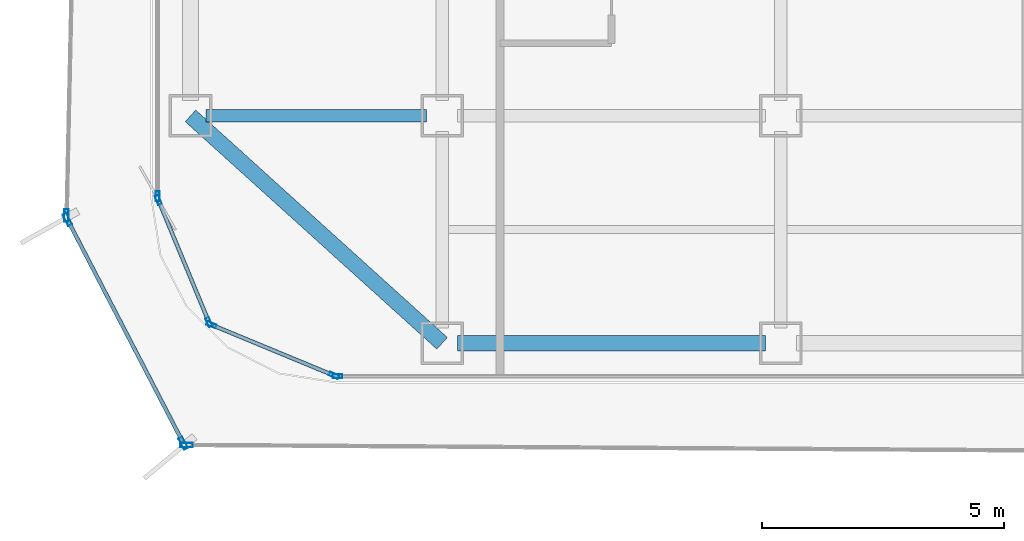
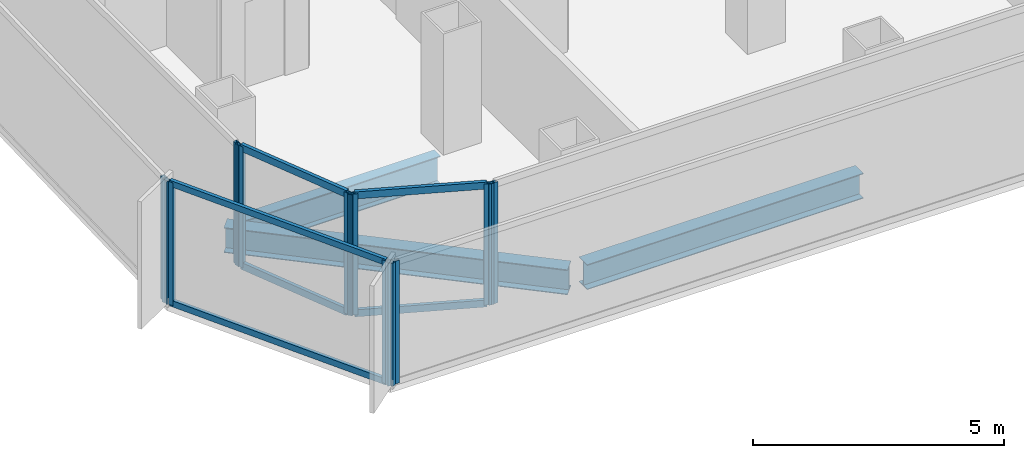
# One storey, part 2 of 21: 16 members, 3 beams, 7 elements without a shape of their own.
"""IFC4 building model written with IfcOpenShell, lengths in metres."""

from ifc_helpers import new_model, si_unit, direction, frame, origin, origin_2d, place, context, subcontext, project, spatial, hollow_rectangle, i_section, extrude, source, transform, mapped, material, layer, layer_set, material_profile, profile_set, type_object, element, aggregate, save


model = new_model("IFC4")

# Units and contexts
model_context = context("Model", 3, precision=1e-05, world=origin(), true_north=direction((0.0, 1.0)))
body_context = subcontext(model_context, "Body", "Model", "MODEL_VIEW")
ifc_project = project(units=[si_unit("LENGTHUNIT", "METRE"), si_unit("AREAUNIT", "SQUARE_METRE"), si_unit("VOLUMEUNIT", "CUBIC_METRE"), si_unit("PLANEANGLEUNIT", "RADIAN"), si_unit("MASSUNIT", "GRAM", prefix="KILO")], contexts=[model_context])

# Site, building, storey
site_placement = place(None, origin())
site = spatial("IfcSite", under=ifc_project, at=site_placement, CompositionType="ELEMENT")
building_placement = place(site_placement, origin())
building = spatial("IfcBuilding", under=site, at=building_placement, Name="Kolveth Station Tower", CompositionType="ELEMENT")
storey_placement = place(building_placement, frame((0.0, 0.0, 121.5)))
storey = spatial("IfcBuildingStorey", under=building, at=storey_placement, Name="L33", CompositionType="ELEMENT", Elevation=121.5)

# Beams
ifc_material_1 = material(Name="Steel S355", Category="steel")
ifc_material_profile_1 = material_profile(ifc_material_1, i_section(OverallWidth=0.323974609375, OverallDepth=0.611083984375, WebThickness=0.0126953125, FlangeThickness=0.01904296875, at=origin_2d()), Name="W610x155")
ifc_profile_set_1 = profile_set([ifc_material_profile_1], Name="Steel S355")
beam_type_1 = type_object("IfcBeamType", Name="Beam_SP2", PredefinedType="SPANDREL", material=ifc_profile_set_1)
shared_shape_1 = source(origin(), body_context, "Body", "SweptSolid", [
    extrude(i_section(OverallWidth=0.323974609375, OverallDepth=0.611083984375, WebThickness=0.0126953125, FlangeThickness=0.01904296875, at=origin_2d()), origin(), (0.0, 0.0, 1.0), 6.35986328125),
])
beam_1_placement = place(storey_placement, frame((6.320068359375, 0.800048828125, -0.555419921875), z_axis=(1.0, 0.0, 0.0), x_axis=(0.0, 1.0, 0.0)))
element("IfcBeam", 1, at=beam_1_placement, inside=storey, type_object=beam_type_1, Name="L33 Perimeter Spandrel BM-L33-PS-1", PredefinedType="SPANDREL", context=body_context, shape_type="MappedRepresentation", body=[
    mapped(shared_shape_1, transform((0.0, 0.0, 0.0), x_axis=(1.0, 0.0, 0.0), y_axis=(0.0, 1.0, 0.0), z_axis=(0.0, 0.0, 1.0), scale=1.0)),
])
shared_shape_2 = source(origin(), body_context, "Body", "SweptSolid", [
    extrude(i_section(OverallWidth=0.323974609375, OverallDepth=0.611083984375, WebThickness=0.0126953125, FlangeThickness=0.01904296875, at=origin_2d()), origin(), (0.0, 0.0, 1.0), 7.00927734375),
])
beam_2_placement = place(storey_placement, frame((0.800048828125, 5.5, -0.555419921875), z_axis=(0.741874009795, -0.670539300557, 0.0), x_axis=(0.670539300557, 0.741874009795, 0.0)))
element("IfcBeam", 2, at=beam_2_placement, inside=storey, type_object=beam_type_1, Name="L33 Corner Edge Girder BM-L33-CNR-SW", PredefinedType="SPANDREL", context=body_context, shape_type="MappedRepresentation", body=[
    mapped(shared_shape_2, transform((0.0, 0.0, 0.0), x_axis=(1.0, 0.0, 0.0), y_axis=(0.0, 1.0, 0.0), z_axis=(0.0, 0.0, 1.0), scale=1.0)),
])
ifc_material_profile_2 = material_profile(ifc_material_1, i_section(OverallWidth=0.25390625, OverallDepth=0.68798828125, WebThickness=0.01318359375, FlangeThickness=0.02099609375, at=origin_2d()), Name="W690x152")
ifc_profile_set_2 = profile_set([ifc_material_profile_2], Name="Steel S355")
beam_type_2 = type_object("IfcBeamType", Name="Beam_B4", PredefinedType="BEAM", material=ifc_profile_set_2)
shared_shape_3 = source(origin(), body_context, "Body", "SweptSolid", [
    extrude(i_section(OverallWidth=0.25390625, OverallDepth=0.68798828125, WebThickness=0.01318359375, FlangeThickness=0.02099609375, at=origin_2d()), origin(), (0.0, 0.0, 1.0), 4.559814453125),
])
beam_3_placement = place(storey_placement, frame((1.1201171875, 5.5, -0.593994140625), z_axis=(1.0, 0.0, 0.0), x_axis=(0.0, 1.0, 0.0)))
element("IfcBeam", 3, at=beam_3_placement, inside=storey, type_object=beam_type_2, Name="L33 Primary Girder BM-L33-GY55-1", PredefinedType="BEAM", context=body_context, shape_type="MappedRepresentation", body=[
    mapped(shared_shape_3, transform((0.0, 0.0, 0.0), x_axis=(1.0, 0.0, 0.0), y_axis=(0.0, 1.0, 0.0), z_axis=(0.0, 0.0, 1.0), scale=1.0)),
])

# Curtain wall, member
ifc_material_2 = material(Name="Aluminium 6063-T6 and low-E dark glass", Category="aluminium")
ifc_layer_1 = layer(ifc_material_2, 0.18994140625)
ifc_layer_set_1 = layer_set([ifc_layer_1], Name="Aluminium 6063-T6 and low-E dark glass")
curtain_wall_type_1 = type_object("IfcCurtainWallType", Name="CurtainWall_CW-Z2", PredefinedType="NOTDEFINED", material=ifc_layer_set_1)
curtain_wall_1_placement = place(storey_placement, origin())
curtain_wall_1 = element("IfcCurtainWall", 4, at=curtain_wall_1_placement, inside=storey, type_object=curtain_wall_type_1, Name="L33 Inner Thermal Curtain Wall 9", PredefinedType="NOTDEFINED")
ifc_material_3 = material(Name="Black anodized aluminium 6063-T6", Category="aluminium")
ifc_material_profile_3 = material_profile(ifc_material_3, hollow_rectangle(XDim=0.080078125, YDim=0.199951171875, WallThickness=0.0048828125, at=origin_2d()), Name="ALU-80x200x5")
ifc_profile_set_3 = profile_set([ifc_material_profile_3], Name="Black anodized aluminium 6063-T6")
member_type_1 = type_object("IfcMemberType", Name="Mullion_ML2", PredefinedType="MULLION", material=ifc_profile_set_3)
shared_shape_4 = source(origin(), body_context, "Body", "SweptSolid", [
    extrude(hollow_rectangle(XDim=0.080078125, YDim=0.199951171875, WallThickness=0.0048828125, at=origin_2d()), origin(), (0.0, 0.0, 1.0), 2.949951171875),
])
member_1_placement = place(storey_placement, frame((0.1201171875, 3.840087890625, 0.0), z_axis=(0.0, 0.0, 1.0), x_axis=(1.0, 0.0, 0.0)))
member_1 = element("IfcMember", 5, at=member_1_placement, type_object=member_type_1, Name="CW-Z2 mullion 2", PredefinedType="MULLION", context=body_context, shape_type="MappedRepresentation", body=[
    mapped(shared_shape_4, transform((0.0, 0.0, 0.0), x_axis=(1.0, 0.0, 0.0), y_axis=(0.0, 1.0, 0.0), z_axis=(0.0, 0.0, 1.0), scale=1.0)),
])
aggregate(curtain_wall_1, [member_1])

# Curtain wall, members
curtain_wall_2_placement = place(storey_placement, origin())
curtain_wall_2 = element("IfcCurtainWall", 6, at=curtain_wall_2_placement, inside=storey, type_object=curtain_wall_type_1, Name="L33 Inner Thermal Curtain Wall 10", PredefinedType="NOTDEFINED")
member_2_placement = place(storey_placement, frame((0.13525390625, 3.762939453125, 0.0), z_axis=(0.0, 0.0, 1.0), x_axis=(0.923887883787, 0.38266326998, 0.0)))
member_2 = element("IfcMember", 7, at=member_2_placement, type_object=member_type_1, Name="CW-Z2 mullion 1", PredefinedType="MULLION", context=body_context, shape_type="MappedRepresentation", body=[
    mapped(shared_shape_4, transform((0.0, 0.0, 0.0), x_axis=(1.0, 0.0, 0.0), y_axis=(0.0, 1.0, 0.0), z_axis=(0.0, 0.0, 1.0), scale=1.0)),
])
member_3_placement = place(storey_placement, frame((1.182373046875, 1.23486328125, 0.0), z_axis=(0.0, 0.0, 1.0), x_axis=(0.923887883787, 0.38266326998, 0.0)))
member_3 = element("IfcMember", 8, at=member_3_placement, type_object=member_type_1, Name="CW-Z2 mullion 2", PredefinedType="MULLION", context=body_context, shape_type="MappedRepresentation", body=[
    mapped(shared_shape_4, transform((0.0, 0.0, 0.0), x_axis=(1.0, 0.0, 0.0), y_axis=(0.0, 1.0, 0.0), z_axis=(0.0, 0.0, 1.0), scale=1.0)),
])

curtain_wall_3_placement = place(storey_placement, origin())
curtain_wall_3 = element("IfcCurtainWall", 9, at=curtain_wall_3_placement, inside=storey, type_object=curtain_wall_type_1, Name="L33 Inner Thermal Curtain Wall 11", PredefinedType="NOTDEFINED")
member_4_placement = place(storey_placement, frame((1.23486328125, 1.182373046875, 0.0), z_axis=(0.0, 0.0, 1.0), x_axis=(0.38266326998, 0.923887883787, 0.0)))
member_4 = element("IfcMember", 10, at=member_4_placement, type_object=member_type_1, Name="CW-Z2 mullion 1", PredefinedType="MULLION", context=body_context, shape_type="MappedRepresentation", body=[
    mapped(shared_shape_4, transform((0.0, 0.0, 0.0), x_axis=(1.0, 0.0, 0.0), y_axis=(0.0, 1.0, 0.0), z_axis=(0.0, 0.0, 1.0), scale=1.0)),
])
member_5_placement = place(storey_placement, frame((3.762939453125, 0.13525390625, 0.0), z_axis=(0.0, 0.0, 1.0), x_axis=(0.38266326998, 0.923887883787, 0.0)))
member_5 = element("IfcMember", 11, at=member_5_placement, type_object=member_type_1, Name="CW-Z2 mullion 2", PredefinedType="MULLION", context=body_context, shape_type="MappedRepresentation", body=[
    mapped(shared_shape_4, transform((0.0, 0.0, 0.0), x_axis=(1.0, 0.0, 0.0), y_axis=(0.0, 1.0, 0.0), z_axis=(0.0, 0.0, 1.0), scale=1.0)),
])

# Curtain wall, member
curtain_wall_4_placement = place(storey_placement, origin())
curtain_wall_4 = element("IfcCurtainWall", 12, at=curtain_wall_4_placement, inside=storey, type_object=curtain_wall_type_1, Name="L33 Inner Thermal Curtain Wall 12", PredefinedType="NOTDEFINED")
member_6_placement = place(storey_placement, frame((3.840087890625, 0.1201171875, 0.0), z_axis=(0.0, 0.0, 1.0), x_axis=(0.0, 1.0, 0.0)))
member_6 = element("IfcMember", 13, at=member_6_placement, type_object=member_type_1, Name="CW-Z2 mullion 1", PredefinedType="MULLION", context=body_context, shape_type="MappedRepresentation", body=[
    mapped(shared_shape_4, transform((0.0, 0.0, 0.0), x_axis=(1.0, 0.0, 0.0), y_axis=(0.0, 1.0, 0.0), z_axis=(0.0, 0.0, 1.0), scale=1.0)),
])
aggregate(curtain_wall_4, [member_6])

# Member
ifc_material_profile_4 = material_profile(ifc_material_3, hollow_rectangle(XDim=0.080078125, YDim=0.169921875, WallThickness=0.0048828125, at=origin_2d()), Name="ALU-80x170x5")
ifc_profile_set_4 = profile_set([ifc_material_profile_4], Name="Black anodized aluminium 6063-T6")
member_type_2 = type_object("IfcMemberType", Name="Transom_TR2", PredefinedType="USERDEFINED", material=ifc_profile_set_4)
shared_shape_5 = source(origin(), body_context, "Body", "SweptSolid", [
    extrude(hollow_rectangle(XDim=0.080078125, YDim=0.169921875, WallThickness=0.0048828125, at=origin_2d()), origin(), (0.0, 0.0, 1.0), 2.656494140625),
])
member_7_placement = place(storey_placement, frame((0.150634765625, 3.72607421875, 0.0400390625), z_axis=(0.382676455475, -0.923882422403, 0.0), x_axis=(0.923882422403, 0.382676455475, 0.0)))
member_7 = element("IfcMember", 14, at=member_7_placement, type_object=member_type_2, Name="CW-Z2 transom 1.1", ObjectType="TRANSOM", PredefinedType="USERDEFINED", context=body_context, shape_type="MappedRepresentation", body=[
    mapped(shared_shape_5, transform((0.0, 0.0, 0.0), x_axis=(1.0, 0.0, 0.0), y_axis=(0.0, 1.0, 0.0), z_axis=(0.0, 0.0, 1.0), scale=1.0)),
])

member_8_placement = place(storey_placement, frame((0.150634765625, 3.72607421875, 2.909912109375), z_axis=(0.382676455475, -0.923882422403, 0.0), x_axis=(0.923882422403, 0.382676455475, 0.0)))
member_8 = element("IfcMember", 15, at=member_8_placement, type_object=member_type_2, Name="CW-Z2 transom 1.2", ObjectType="TRANSOM", PredefinedType="USERDEFINED", context=body_context, shape_type="MappedRepresentation", body=[
    mapped(shared_shape_5, transform((0.0, 0.0, 0.0), x_axis=(1.0, 0.0, 0.0), y_axis=(0.0, 1.0, 0.0), z_axis=(0.0, 0.0, 1.0), scale=1.0)),
])

aggregate(curtain_wall_2, [member_2, member_3, member_7, member_8])

member_9_placement = place(storey_placement, frame((1.271728515625, 1.167236328125, 0.0400390625), z_axis=(0.923882422403, -0.382676455475, 0.0), x_axis=(0.382676455475, 0.923882422403, 0.0)))
member_9 = element("IfcMember", 16, at=member_9_placement, type_object=member_type_2, Name="CW-Z2 transom 1.1", ObjectType="TRANSOM", PredefinedType="USERDEFINED", context=body_context, shape_type="MappedRepresentation", body=[
    mapped(shared_shape_5, transform((0.0, 0.0, 0.0), x_axis=(1.0, 0.0, 0.0), y_axis=(0.0, 1.0, 0.0), z_axis=(0.0, 0.0, 1.0), scale=1.0)),
])

member_10_placement = place(storey_placement, frame((1.271728515625, 1.167236328125, 2.909912109375), z_axis=(0.923882422403, -0.382676455475, 0.0), x_axis=(0.382676455475, 0.923882422403, 0.0)))
member_10 = element("IfcMember", 17, at=member_10_placement, type_object=member_type_2, Name="CW-Z2 transom 1.2", ObjectType="TRANSOM", PredefinedType="USERDEFINED", context=body_context, shape_type="MappedRepresentation", body=[
    mapped(shared_shape_5, transform((0.0, 0.0, 0.0), x_axis=(1.0, 0.0, 0.0), y_axis=(0.0, 1.0, 0.0), z_axis=(0.0, 0.0, 1.0), scale=1.0)),
])

aggregate(curtain_wall_3, [member_4, member_5, member_9, member_10])

# Curtain wall, member
ifc_material_4 = material(Name="Black anodized aluminium 6063-T6 and dark solar glass", Category="aluminium")
ifc_layer_2 = layer(ifc_material_4, 0.159912109375)
ifc_layer_set_2 = layer_set([ifc_layer_2], Name="Black anodized aluminium 6063-T6 and dark solar glass")
curtain_wall_type_2 = type_object("IfcCurtainWallType", Name="OUTER SKIN CW-OS", PredefinedType="NOTDEFINED", material=ifc_layer_set_2)
curtain_wall_5_placement = place(storey_placement, origin())
curtain_wall_5 = element("IfcCurtainWall", 18, at=curtain_wall_5_placement, inside=storey, type_object=curtain_wall_type_2, Name="L33 Outer Ventilated Skin Curtain Wall 6", PredefinedType="NOTDEFINED")
ifc_material_profile_5 = material_profile(ifc_material_3, hollow_rectangle(XDim=0.090087890625, YDim=0.260009765625, WallThickness=0.0048828125, at=origin_2d()), Name="ALU-90x260x5")
ifc_profile_set_5 = profile_set([ifc_material_profile_5], Name="Black anodized aluminium 6063-T6")
member_type_3 = type_object("IfcMemberType", Name="FIN MULLION ML-OS", PredefinedType="MULLION", material=ifc_profile_set_5)
shared_shape_6 = source(origin(), body_context, "Body", "SweptSolid", [
    extrude(hollow_rectangle(XDim=0.090087890625, YDim=0.260009765625, WallThickness=0.0048828125, at=origin_2d()), origin(), (0.0, 0.0, 1.0), 2.989990234375),
])
member_11_placement = place(storey_placement, frame((-1.763427734375, 3.443115234375, 0.0), z_axis=(0.0, 0.0, 1.0), x_axis=(0.999763237903, -0.021759322998, 0.0)))
member_11 = element("IfcMember", 19, at=member_11_placement, type_object=member_type_3, Name="CW-OS mullion 2", PredefinedType="MULLION", context=body_context, shape_type="MappedRepresentation", body=[
    mapped(shared_shape_6, transform((0.0, 0.0, 0.0), x_axis=(1.0, 0.0, 0.0), y_axis=(0.0, 1.0, 0.0), z_axis=(0.0, 0.0, 1.0), scale=1.0)),
])
aggregate(curtain_wall_5, [member_11])

# Curtain wall, members
curtain_wall_6_placement = place(storey_placement, origin())
curtain_wall_6 = element("IfcCurtainWall", 20, at=curtain_wall_6_placement, inside=storey, type_object=curtain_wall_type_2, Name="L33 Outer Ventilated Skin Curtain Wall 7", PredefinedType="NOTDEFINED")
member_12_placement = place(storey_placement, frame((-1.74365234375, 3.358154296875, 0.0), z_axis=(0.0, 0.0, 1.0), x_axis=(0.887794822439, 0.46023945208, 0.0)))
member_12 = element("IfcMember", 21, at=member_12_placement, type_object=member_type_3, Name="CW-OS mullion 1", PredefinedType="MULLION", context=body_context, shape_type="MappedRepresentation", body=[
    mapped(shared_shape_6, transform((0.0, 0.0, 0.0), x_axis=(1.0, 0.0, 0.0), y_axis=(0.0, 1.0, 0.0), z_axis=(0.0, 0.0, 1.0), scale=1.0)),
])
member_13_placement = place(storey_placement, frame((0.65234375, -1.263671875, 0.0), z_axis=(0.0, 0.0, 1.0), x_axis=(0.887794822439, 0.46023945208, 0.0)))
member_13 = element("IfcMember", 22, at=member_13_placement, type_object=member_type_3, Name="CW-OS mullion 2", PredefinedType="MULLION", context=body_context, shape_type="MappedRepresentation", body=[
    mapped(shared_shape_6, transform((0.0, 0.0, 0.0), x_axis=(1.0, 0.0, 0.0), y_axis=(0.0, 1.0, 0.0), z_axis=(0.0, 0.0, 1.0), scale=1.0)),
])

# Curtain wall, member
curtain_wall_7_placement = place(storey_placement, origin())
curtain_wall_7 = element("IfcCurtainWall", 23, at=curtain_wall_7_placement, inside=storey, type_object=curtain_wall_type_2, Name="L33 Outer Ventilated Skin Curtain Wall 8", PredefinedType="NOTDEFINED")
member_14_placement = place(storey_placement, frame((0.718017578125, -1.303955078125, 0.0), z_axis=(0.0, 0.0, 1.0), x_axis=(0.006473567399, 0.999979046243, 0.0)))
member_14 = element("IfcMember", 24, at=member_14_placement, type_object=member_type_3, Name="CW-OS mullion 1", PredefinedType="MULLION", context=body_context, shape_type="MappedRepresentation", body=[
    mapped(shared_shape_6, transform((0.0, 0.0, 0.0), x_axis=(1.0, 0.0, 0.0), y_axis=(0.0, 1.0, 0.0), z_axis=(0.0, 0.0, 1.0), scale=1.0)),
])
aggregate(curtain_wall_7, [member_14])

# Member
ifc_material_profile_6 = material_profile(ifc_material_3, hollow_rectangle(XDim=0.080078125, YDim=0.14990234375, WallThickness=0.0048828125, at=origin_2d()), Name="ALU-80x150x5")
ifc_profile_set_6 = profile_set([ifc_material_profile_6], Name="Black anodized aluminium 6063-T6")
member_type_4 = type_object("IfcMemberType", Name="Transom_TR-OS", PredefinedType="USERDEFINED", material=ifc_profile_set_6)
shared_shape_7 = source(origin(), body_context, "Body", "SweptSolid", [
    extrude(hollow_rectangle(XDim=0.080078125, YDim=0.14990234375, WallThickness=0.0048828125, at=origin_2d()), origin(), (0.0, 0.0, 1.0), 5.1162109375),
])
member_15_placement = place(storey_placement, frame((-1.722900390625, 3.318359375, 0.0400390625), z_axis=(0.460202944348, -0.887813747367, 0.0), x_axis=(0.887813747367, 0.460202944348, 0.0)))
member_15 = element("IfcMember", 25, at=member_15_placement, type_object=member_type_4, Name="CW-OS transom 1.1", ObjectType="TRANSOM", PredefinedType="USERDEFINED", context=body_context, shape_type="MappedRepresentation", body=[
    mapped(shared_shape_7, transform((0.0, 0.0, 0.0), x_axis=(1.0, 0.0, 0.0), y_axis=(0.0, 1.0, 0.0), z_axis=(0.0, 0.0, 1.0), scale=1.0)),
])

member_16_placement = place(storey_placement, frame((-1.722900390625, 3.318359375, 2.949951171875), z_axis=(0.460202944348, -0.887813747367, 0.0), x_axis=(0.887813747367, 0.460202944348, 0.0)))
member_16 = element("IfcMember", 26, at=member_16_placement, type_object=member_type_4, Name="CW-OS transom 1.2", ObjectType="TRANSOM", PredefinedType="USERDEFINED", context=body_context, shape_type="MappedRepresentation", body=[
    mapped(shared_shape_7, transform((0.0, 0.0, 0.0), x_axis=(1.0, 0.0, 0.0), y_axis=(0.0, 1.0, 0.0), z_axis=(0.0, 0.0, 1.0), scale=1.0)),
])

aggregate(curtain_wall_6, [member_12, member_13, member_15, member_16])

save(model, "model.ifc")
